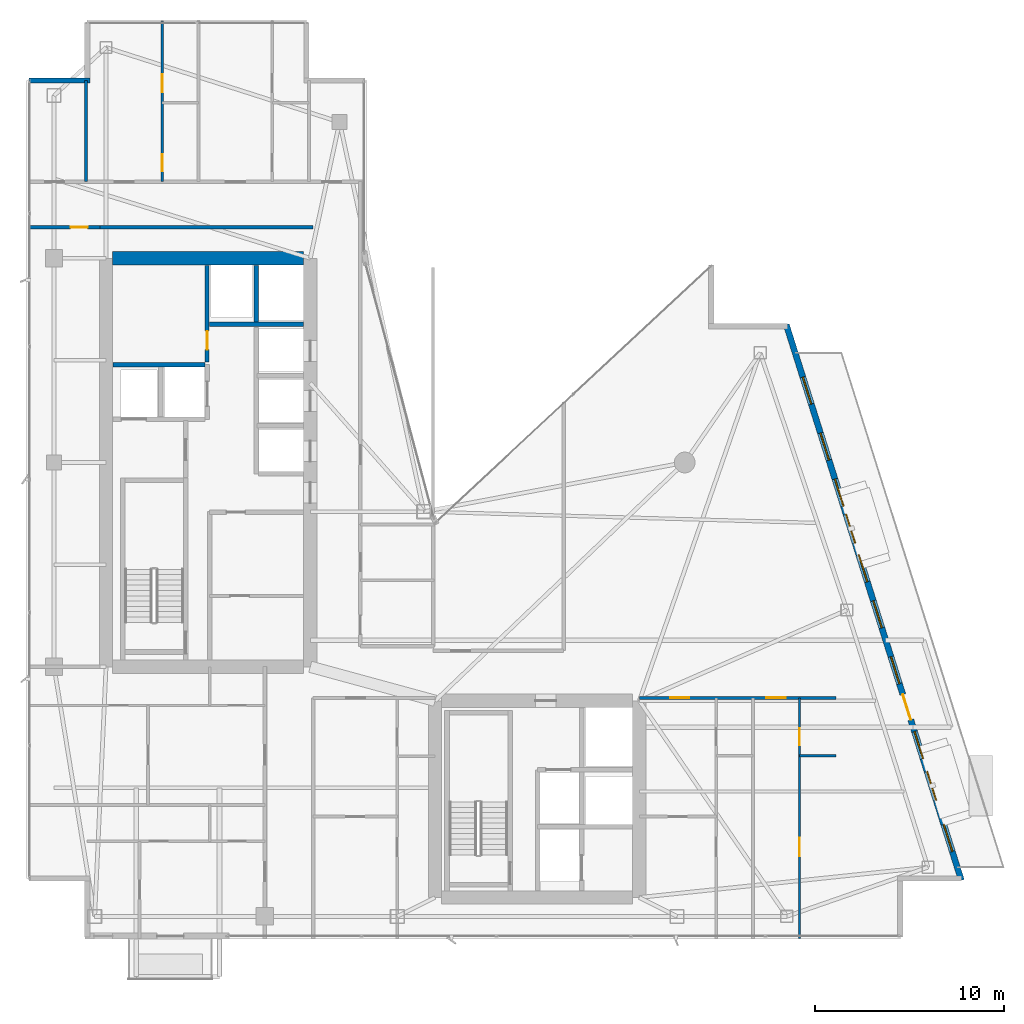
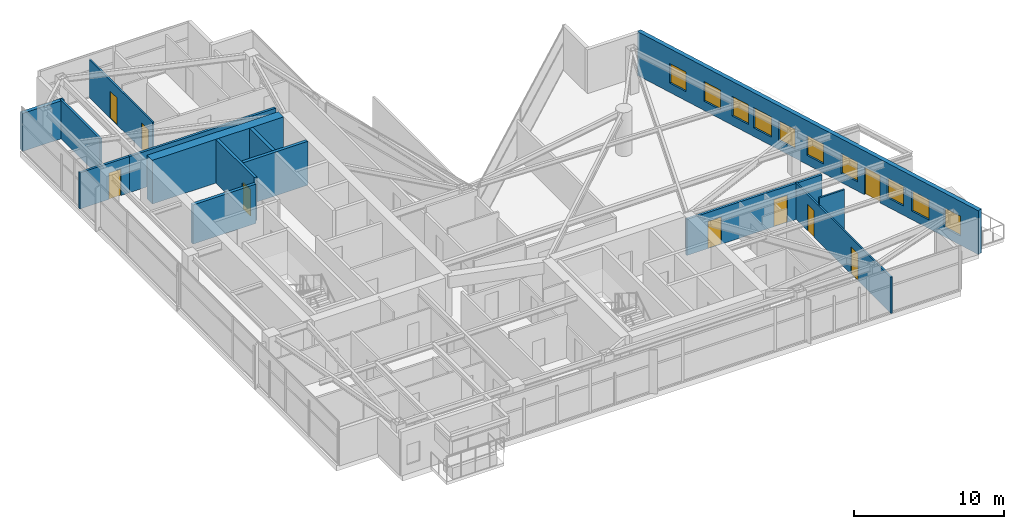
# One storey, part 24 of 28: 14 walls, 10 windows, 9 doors, 19 openings.
"""IFC4 building model written with IfcOpenShell, lengths in metres."""

from ifc_helpers import new_model, si_unit, direction, frame, frame_2d, origin, place, context, subcontext, project, spatial, rectangle, extrude, material, layer, layer_set, type_object, element, fill, save


model = new_model("IFC4")

# Units and contexts
model_context = context("Model", 3, precision=1e-05, world=origin(), true_north=direction((0.0, 1.0)))
body_context = subcontext(model_context, "Body", "Model", "MODEL_VIEW")
ifc_project = project(units=[si_unit("LENGTHUNIT", "METRE"), si_unit("AREAUNIT", "SQUARE_METRE"), si_unit("VOLUMEUNIT", "CUBIC_METRE"), si_unit("PLANEANGLEUNIT", "RADIAN"), si_unit("MASSUNIT", "GRAM", prefix="KILO")], contexts=[model_context])

# Site, building, storey
site_placement = place(None, origin())
site = spatial("IfcSite", under=ifc_project, at=site_placement, CompositionType="ELEMENT")
building_placement = place(site_placement, origin())
building = spatial("IfcBuilding", under=site, at=building_placement, Name="Calvorn Quay Hotel", CompositionType="ELEMENT")
storey_placement = place(building_placement, frame((0.0, 0.0, 219.300048828125)))
storey = spatial("IfcBuildingStorey", under=building, at=storey_placement, Name="L54", CompositionType="ELEMENT", Elevation=219.300048828125)

# Wall
ifc_material_1 = material(Name="Concrete C45", Category="concrete")
ifc_layer_1 = layer(ifc_material_1, 0.699951171875)
ifc_layer_set_1 = layer_set([ifc_layer_1], Name="WL-CORE-700")
wall_type_1 = type_object("IfcWallType", Name="WL-CORE-700", PredefinedType="SHEAR", material=ifc_layer_set_1)
wall_1_placement = place(storey_placement, frame((4.550048828125, 38.39990234375, 0.0), z_axis=(0.0, 0.0, 1.0), x_axis=(1.0, 0.0, 0.0)))
element("IfcWall", 1, at=wall_1_placement, inside=storey, type_object=wall_type_1, Name="West Core Shear Wall N (L54)", PredefinedType="SHEAR", context=body_context, shape_type="SweptSolid", body=[
    extrude(rectangle(XDim=10.099853515625, YDim=0.699951171875, at=frame_2d((5.0498046875, 0.0))), origin(), (0.0, 0.0, 1.0), 3.56005859375),
])

# Wall, opening, door
ifc_material_2 = material(Name="Acoustic Fireboard Steel-Stud Partition", Category="steel")
ifc_layer_2 = layer(ifc_material_2, 0.179931640625)
ifc_layer_set_2 = layer_set([ifc_layer_2], Name="WL-CORR-FIRE-180")
wall_type_2 = type_object("IfcWallType", Name="WL-CORR-FIRE-180", PredefinedType="PARTITIONING", material=ifc_layer_set_2)
wall_2_placement = place(storey_placement, frame((0.080078125, 40.050048828125, 0.0), z_axis=(0.0, 0.0, 1.0), x_axis=(1.0, 0.0, 0.0)))
wall_2 = element("IfcWall", 2, at=wall_2_placement, inside=storey, type_object=wall_type_2, Name="Partition Wall L54-WL-WBAY-N-DOOR", PredefinedType="PARTITIONING", context=body_context, shape_type="SweptSolid", body=[
    extrude(rectangle(XDim=3.7998046875, YDim=0.179931640625, at=frame_2d((1.89990234375, 0.0))), origin(), (0.0, 0.0, 1.0), 2.93994140625),
])
opening_1_placement = place(wall_2_placement, frame((2.25, 0.0, 0.0)))
opening_1 = element("IfcOpeningElement", 3, at=opening_1_placement, cuts=wall_2, Name="Opening D-L54-WBN", PredefinedType="OPENING", context=body_context, shape_type="SweptSolid", body=[
    extrude(rectangle(XDim=0.89990234375, YDim=2.14990234375, at=frame_2d((0.449951171875, 1.074951171875))), frame((0.0, 0.099853515625, 0.0), z_axis=(0.0, -1.0, 0.0), x_axis=(1.0, 0.0, 0.0)), (0.0, 0.0, 1.0), 0.199951171875),
])
ifc_material_3 = material(Name="Moisture-Sealed Timber En-Suite Door", Category="wood")
door_type_1 = type_object("IfcDoorType", Name="DR-ENSUITE-900", OperationType="NOTDEFINED", PredefinedType="DOOR", material=ifc_material_3)
door_1_placement = place(opening_1_placement, origin())
door_1 = element("IfcDoor", 4, at=door_1_placement, inside=storey, type_object=door_type_1, Name="West North Bay Door (L54)", OperationType="SINGLE_SWING_LEFT", OverallHeight=2.14990234375, OverallWidth=0.89990234375, PredefinedType="DOOR", context=body_context, shape_type="SweptSolid", body=[
    extrude(rectangle(XDim=0.89990234375, YDim=2.14990234375, at=frame_2d((0.449951171875, 1.074951171875))), frame((0.0, 0.02490234375, 0.0), z_axis=(0.0, -1.0, 0.0), x_axis=(1.0, 0.0, 0.0)), (0.0, 0.0, 1.0), 0.050048828125),
])
fill(opening_1, door_1)

# Wall
wall_3_placement = place(storey_placement, frame((3.830078125, 40.050048828125, 0.0), z_axis=(0.0, 0.0, 1.0), x_axis=(1.0, 0.0, 0.0)))
element("IfcWall", 5, at=wall_3_placement, inside=storey, type_object=wall_type_2, Name="Partition Wall L54-WL-W-SPUR-S", PredefinedType="PARTITIONING", context=body_context, shape_type="SweptSolid", body=[
    extrude(rectangle(XDim=11.31982421875, YDim=0.179931640625, at=frame_2d((5.659912109375, 0.0))), origin(), (0.0, 0.0, 1.0), 2.93994140625),
])

# Wall, openings, doors
wall_4_placement = place(storey_placement, frame((32.39990234375, 15.14990234375, 0.0), z_axis=(0.0, 0.0, 1.0), x_axis=(1.0, 0.0, 0.0)))
wall_4 = element("IfcWall", 6, at=wall_4_placement, inside=storey, type_object=wall_type_2, Name="Partition Wall L54-WL-CORR-SE-S", PredefinedType="PARTITIONING", context=body_context, shape_type="SweptSolid", body=[
    extrude(rectangle(XDim=10.400146484375, YDim=0.179931640625, at=frame_2d((5.2001953125, 0.0))), origin(), (0.0, 0.0, 1.0), 2.93994140625),
])
opening_2_placement = place(wall_4_placement, frame((1.6298828125, 0.0, 0.0)))
opening_2 = element("IfcOpeningElement", 7, at=opening_2_placement, cuts=wall_4, Name="Opening D-L54-U06", PredefinedType="OPENING", context=body_context, shape_type="SweptSolid", body=[
    extrude(rectangle(XDim=1.02001953125, YDim=2.199951171875, at=frame_2d((0.510009765625, 1.10009765625))), frame((0.0, 0.099853515625, 0.0), z_axis=(0.0, -1.0, 0.0), x_axis=(1.0, 0.0, 0.0)), (0.0, 0.0, 1.0), 0.199951171875),
])
opening_3_placement = place(wall_4_placement, frame((6.719970703125, 0.0, 0.0)))
opening_3 = element("IfcOpeningElement", 8, at=opening_3_placement, cuts=wall_4, Name="Opening D-L54-U07", PredefinedType="OPENING", context=body_context, shape_type="SweptSolid", body=[
    extrude(rectangle(XDim=1.02001953125, YDim=2.199951171875, at=frame_2d((0.510009765625, 1.10009765625))), frame((0.0, 0.099853515625, 0.0), z_axis=(0.0, -1.0, 0.0), x_axis=(1.0, 0.0, 0.0)), (0.0, 0.0, 1.0), 0.199951171875),
])
ifc_material_4 = material(Name="Solid-Core Walnut Veneer Hotel Fire Door")
door_type_2 = type_object("IfcDoorType", Name="DR-GUEST-ENTRY-1020", OperationType="NOTDEFINED", PredefinedType="DOOR", material=ifc_material_4)
door_2_placement = place(opening_2_placement, origin())
door_2 = element("IfcDoor", 9, at=door_2_placement, inside=storey, type_object=door_type_2, Name="South-East Unit Door U06 (L54)", OperationType="SINGLE_SWING_LEFT", OverallHeight=2.199951171875, OverallWidth=1.02001953125, PredefinedType="DOOR", context=body_context, shape_type="SweptSolid", body=[
    extrude(rectangle(XDim=1.02001953125, YDim=2.199951171875, at=frame_2d((0.510009765625, 1.10009765625))), frame((0.0, 0.02490234375, 0.0), z_axis=(0.0, -1.0, 0.0), x_axis=(1.0, 0.0, 0.0)), (0.0, 0.0, 1.0), 0.050048828125),
])
fill(opening_2, door_2)
door_3_placement = place(opening_3_placement, origin())
door_3 = element("IfcDoor", 10, at=door_3_placement, inside=storey, type_object=door_type_2, Name="South-East Unit Door U07 (L54)", OperationType="SINGLE_SWING_RIGHT", OverallHeight=2.199951171875, OverallWidth=1.02001953125, PredefinedType="DOOR", context=body_context, shape_type="SweptSolid", body=[
    extrude(rectangle(XDim=1.02001953125, YDim=2.199951171875, at=frame_2d((0.510009765625, 1.10009765625))), frame((0.0, 0.02490234375, 0.0), z_axis=(0.0, -1.0, 0.0), x_axis=(1.0, 0.0, 0.0)), (0.0, 0.0, 1.0), 0.050048828125),
])
fill(opening_3, door_3)

ifc_material_5 = material(Name="Moisture-Resistant Tile-Backed Partition")
ifc_layer_3 = layer(ifc_material_5, 0.125)
ifc_layer_set_3 = layer_set([ifc_layer_3], Name="WL-ENSUITE-125")
wall_type_3 = type_object("IfcWallType", Name="WL-ENSUITE-125", PredefinedType="PARTITIONING", material=ifc_layer_set_3)
wall_5_placement = place(storey_placement, frame((7.169921875, 42.449951171875, 0.0), z_axis=(0.0, 0.0, 1.0), x_axis=(0.0, 1.0, 0.0)))
wall_5 = element("IfcWall", 11, at=wall_5_placement, inside=storey, type_object=wall_type_3, Name="Partition Wall L54-WL-U04-BV", PredefinedType="PARTITIONING", context=body_context, shape_type="SweptSolid", body=[
    extrude(rectangle(XDim=8.489990234375, YDim=0.125, at=frame_2d((4.2451171875, 0.0))), origin(), (0.0, 0.0, 1.0), 3.08984375),
])
opening_4_placement = place(wall_5_placement, frame((0.550048828125, 0.0, 0.0)))
opening_4 = element("IfcOpeningElement", 12, at=opening_4_placement, cuts=wall_5, Name="Opening D-L54-E04", PredefinedType="OPENING", context=body_context, shape_type="SweptSolid", body=[
    extrude(rectangle(XDim=0.89990234375, YDim=2.14990234375, at=frame_2d((0.449951171875, 1.074951171875))), frame((0.0, 0.072509765625, 0.0), z_axis=(0.0, -1.0, 0.0), x_axis=(1.0, 0.0, 0.0)), (0.0, 0.0, 1.0), 0.14501953125),
])
opening_5_placement = place(wall_5_placement, frame((4.719970703125, 0.0, 0.0)))
opening_5 = element("IfcOpeningElement", 13, at=opening_5_placement, cuts=wall_5, Name="Opening D-L54-S04", PredefinedType="OPENING", context=body_context, shape_type="SweptSolid", body=[
    extrude(rectangle(XDim=0.9599609375, YDim=2.199951171875, at=frame_2d((0.47998046875, 1.10009765625))), frame((0.0, 0.072509765625, 0.0), z_axis=(0.0, -1.0, 0.0), x_axis=(1.0, 0.0, 0.0)), (0.0, 0.0, 1.0), 0.14501953125),
])
door_4_placement = place(opening_4_placement, origin())
door_4 = element("IfcDoor", 14, at=door_4_placement, inside=storey, type_object=door_type_1, Name="En-Suite Door 04", OperationType="SINGLE_SWING_LEFT", OverallHeight=2.14990234375, OverallWidth=0.89990234375, PredefinedType="DOOR", context=body_context, shape_type="SweptSolid", body=[
    extrude(rectangle(XDim=0.89990234375, YDim=2.14990234375, at=frame_2d((0.449951171875, 1.074951171875))), frame((0.0, 0.02490234375, 0.0), z_axis=(0.0, -1.0, 0.0), x_axis=(1.0, 0.0, 0.0)), (0.0, 0.0, 1.0), 0.050048828125),
])
fill(opening_4, door_4)
ifc_material_6 = material(Name="Solid Timber Internal Suite Door", Category="wood")
door_type_3 = type_object("IfcDoorType", Name="DR-SUITE-INT-960", OperationType="NOTDEFINED", PredefinedType="DOOR", material=ifc_material_6)
door_5_placement = place(opening_5_placement, origin())
door_5 = element("IfcDoor", 15, at=door_5_placement, inside=storey, type_object=door_type_3, Name="Executive Work Office Door 04", OperationType="SINGLE_SWING_RIGHT", OverallHeight=2.199951171875, OverallWidth=0.9599609375, PredefinedType="DOOR", context=body_context, shape_type="SweptSolid", body=[
    extrude(rectangle(XDim=0.9599609375, YDim=2.199951171875, at=frame_2d((0.47998046875, 1.10009765625))), frame((0.0, 0.02490234375, 0.0), z_axis=(0.0, -1.0, 0.0), x_axis=(1.0, 0.0, 0.0)), (0.0, 0.0, 1.0), 0.050048828125),
])
fill(opening_5, door_5)

# Wall
wall_6_placement = place(storey_placement, frame((40.8701171875, 12.10009765625, 0.0), z_axis=(0.0, 0.0, 1.0), x_axis=(1.0, 0.0, 0.0)))
element("IfcWall", 16, at=wall_6_placement, inside=storey, type_object=wall_type_3, Name="Partition Wall L54-WL-U07-BDV", PredefinedType="PARTITIONING", context=body_context, shape_type="SweptSolid", body=[
    extrude(rectangle(XDim=1.929931640625, YDim=0.125, at=frame_2d((0.96484375, 0.0))), origin(), (0.0, 0.0, 1.0), 3.56005859375),
])

# Wall, openings, doors
wall_7_placement = place(storey_placement, frame((40.8701171875, 2.43994140625, 0.0), z_axis=(0.0, 0.0, 1.0), x_axis=(0.0, 1.0, 0.0)))
wall_7 = element("IfcWall", 17, at=wall_7_placement, inside=storey, type_object=wall_type_3, Name="Partition Wall L54-WL-U07-BV", PredefinedType="PARTITIONING", context=body_context, shape_type="SweptSolid", body=[
    extrude(rectangle(XDim=12.7099609375, YDim=0.125, at=frame_2d((6.35498046875, 0.0))), origin(), (0.0, 0.0, 1.0), 2.93994140625),
])
opening_6_placement = place(wall_7_placement, frame((4.35009765625, 0.0, 0.0)))
opening_6 = element("IfcOpeningElement", 18, at=opening_6_placement, cuts=wall_7, Name="Opening D-L54-S07", PredefinedType="OPENING", context=body_context, shape_type="SweptSolid", body=[
    extrude(rectangle(XDim=0.9599609375, YDim=2.199951171875, at=frame_2d((0.47998046875, 1.10009765625))), frame((0.0, 0.072509765625, 0.0), z_axis=(0.0, -1.0, 0.0), x_axis=(1.0, 0.0, 0.0)), (0.0, 0.0, 1.0), 0.14501953125),
])
opening_7_placement = place(wall_7_placement, frame((10.2099609375, 0.0, 0.0)))
opening_7 = element("IfcOpeningElement", 19, at=opening_7_placement, cuts=wall_7, Name="Opening D-L54-E07", PredefinedType="OPENING", context=body_context, shape_type="SweptSolid", body=[
    extrude(rectangle(XDim=0.89990234375, YDim=2.14990234375, at=frame_2d((0.449951171875, 1.074951171875))), frame((0.0, 0.072509765625, 0.0), z_axis=(0.0, -1.0, 0.0), x_axis=(1.0, 0.0, 0.0)), (0.0, 0.0, 1.0), 0.14501953125),
])
door_6_placement = place(opening_7_placement, origin())
door_6 = element("IfcDoor", 20, at=door_6_placement, inside=storey, type_object=door_type_1, Name="En-Suite Door 07", OperationType="SINGLE_SWING_RIGHT", OverallHeight=2.14990234375, OverallWidth=0.89990234375, PredefinedType="DOOR", context=body_context, shape_type="SweptSolid", body=[
    extrude(rectangle(XDim=0.89990234375, YDim=2.14990234375, at=frame_2d((0.449951171875, 1.074951171875))), frame((0.0, 0.02490234375, 0.0), z_axis=(0.0, -1.0, 0.0), x_axis=(1.0, 0.0, 0.0)), (0.0, 0.0, 1.0), 0.050048828125),
])
fill(opening_7, door_6)
door_7_placement = place(opening_6_placement, origin())
door_7 = element("IfcDoor", 21, at=door_7_placement, inside=storey, type_object=door_type_3, Name="Executive Work Office Door 07", OperationType="SINGLE_SWING_LEFT", OverallHeight=2.199951171875, OverallWidth=0.9599609375, PredefinedType="DOOR", context=body_context, shape_type="SweptSolid", body=[
    extrude(rectangle(XDim=0.9599609375, YDim=2.199951171875, at=frame_2d((0.47998046875, 1.10009765625))), frame((0.0, 0.02490234375, 0.0), z_axis=(0.0, -1.0, 0.0), x_axis=(1.0, 0.0, 0.0)), (0.0, 0.0, 1.0), 0.050048828125),
])
fill(opening_6, door_7)

# Wall
ifc_material_7 = material(Name="Concrete C40", Category="concrete")
ifc_layer_4 = layer(ifc_material_7, 0.320068359375)
ifc_layer_set_4 = layer_set([ifc_layer_4], Name="WL-EXT-SPANDREL-320")
wall_type_4 = type_object("IfcWallType", Name="WL-EXT-SPANDREL-320", PredefinedType="SOLIDWALL", material=ifc_layer_set_4)
wall_8_placement = place(storey_placement, frame((3.340087890625, 47.800048828125, 0.0), z_axis=(0.0, 0.0, 1.0), x_axis=(-1.0, 0.0, 0.0)))
element("IfcWall", 22, at=wall_8_placement, inside=storey, type_object=wall_type_4, Name="Notched Corner Spandrel L54-NW2", PredefinedType="SOLIDWALL", context=body_context, shape_type="SweptSolid", body=[
    extrude(rectangle(XDim=3.219970703125, YDim=0.280029296875, at=frame_2d((1.60986328125, 0.0))), origin(), (0.0, 0.0, 1.0), 3.08984375),
])

# Wall, openings, door, windows
wall_9_placement = place(storey_placement, frame((49.429931640625, 5.5048828125, 0.0), z_axis=(0.0, 0.0, 1.0), x_axis=(-0.300509063924, 0.953778958931, 0.0)))
wall_9 = element("IfcWall", 23, at=wall_9_placement, inside=storey, type_object=wall_type_4, Name="East Stepped Waterfront Exterior Wall (L54)", PredefinedType="SOLIDWALL", context=body_context, shape_type="SweptSolid", body=[
    extrude(rectangle(XDim=30.814453125, YDim=0.320068359375, at=frame_2d((15.4072265625, 0.0))), origin(), (0.0, 0.0, 1.0), 3.56005859375),
])
opening_8_placement = place(wall_9_placement, frame((8.89990234375, 0.0, 0.0)))
opening_8 = element("IfcOpeningElement", 24, at=opening_8_placement, cuts=wall_9, Name="Opening DTR-L54", PredefinedType="OPENING", context=body_context, shape_type="SweptSolid", body=[
    extrude(rectangle(XDim=1.39990234375, YDim=2.25, at=frame_2d((0.699951171875, 1.125))), frame((0.0, 0.169921875, 0.0), z_axis=(0.0, -1.0, 0.0), x_axis=(1.0, 0.0, 0.0)), (0.0, 0.0, 1.0), 0.340087890625),
])
opening_9_placement = place(wall_9_placement, frame((4.43701171875, 0.0, 0.699951171875)))
opening_9 = element("IfcOpeningElement", 25, at=opening_9_placement, cuts=wall_9, Name="Opening WHD-L54-1", PredefinedType="OPENING", context=body_context, shape_type="SweptSolid", body=[
    extrude(rectangle(XDim=1.60009765625, YDim=1.64990234375, at=frame_2d((0.800048828125, 0.824951171875))), frame((0.0, 0.169921875, 0.0), z_axis=(0.0, -1.0, 0.0), x_axis=(1.0, 0.0, 0.0)), (0.0, 0.0, 1.0), 0.340087890625),
])
opening_10_placement = place(wall_9_placement, frame((18.696044921875, 0.0, 0.699951171875)))
opening_10 = element("IfcOpeningElement", 26, at=opening_10_placement, cuts=wall_9, Name="Opening WHD-L54-2", PredefinedType="OPENING", context=body_context, shape_type="SweptSolid", body=[
    extrude(rectangle(XDim=1.60009765625, YDim=1.64990234375, at=frame_2d((0.800048828125, 0.824951171875))), frame((0.0, 0.169921875, 0.0), z_axis=(0.0, -1.0, 0.0), x_axis=(1.0, 0.0, 0.0)), (0.0, 0.0, 1.0), 0.340087890625),
])
opening_11_placement = place(wall_9_placement, frame((1.60009765625, 0.0, 0.75)))
opening_11 = element("IfcOpeningElement", 27, at=opening_11_placement, cuts=wall_9, Name="Opening WG-L54-E1", PredefinedType="OPENING", context=body_context, shape_type="SweptSolid", body=[
    extrude(rectangle(XDim=1.5, YDim=1.60009765625, at=frame_2d((0.75, 0.800048828125))), frame((0.0, 0.169921875, 0.0), z_axis=(0.0, -1.0, 0.0), x_axis=(1.0, 0.0, 0.0)), (0.0, 0.0, 1.0), 0.340087890625),
])
opening_12_placement = place(wall_9_placement, frame((6.75, 0.0, 0.75)))
opening_12 = element("IfcOpeningElement", 28, at=opening_12_placement, cuts=wall_9, Name="Opening WG-L54-E2", PredefinedType="OPENING", context=body_context, shape_type="SweptSolid", body=[
    extrude(rectangle(XDim=1.5, YDim=1.60009765625, at=frame_2d((0.75, 0.800048828125))), frame((0.0, 0.169921875, 0.0), z_axis=(0.0, -1.0, 0.0), x_axis=(1.0, 0.0, 0.0)), (0.0, 0.0, 1.0), 0.340087890625),
])
opening_13_placement = place(wall_9_placement, frame((10.89990234375, 0.0, 0.75)))
opening_13 = element("IfcOpeningElement", 29, at=opening_13_placement, cuts=wall_9, Name="Opening WG-L54-E3", PredefinedType="OPENING", context=body_context, shape_type="SweptSolid", body=[
    extrude(rectangle(XDim=1.5, YDim=1.60009765625, at=frame_2d((0.75, 0.800048828125))), frame((0.0, 0.169921875, 0.0), z_axis=(0.0, -1.0, 0.0), x_axis=(1.0, 0.0, 0.0)), (0.0, 0.0, 1.0), 0.340087890625),
])
opening_14_placement = place(wall_9_placement, frame((14.0, 0.0, 0.75)))
opening_14 = element("IfcOpeningElement", 30, at=opening_14_placement, cuts=wall_9, Name="Opening WG-L54-E4", PredefinedType="OPENING", context=body_context, shape_type="SweptSolid", body=[
    extrude(rectangle(XDim=1.5, YDim=1.60009765625, at=frame_2d((0.75, 0.800048828125))), frame((0.0, 0.169921875, 0.0), z_axis=(0.0, -1.0, 0.0), x_axis=(1.0, 0.0, 0.0)), (0.0, 0.0, 1.0), 0.340087890625),
])
opening_15_placement = place(wall_9_placement, frame((16.550048828125, 0.0, 0.75)))
opening_15 = element("IfcOpeningElement", 31, at=opening_15_placement, cuts=wall_9, Name="Opening WG-L54-E5", PredefinedType="OPENING", context=body_context, shape_type="SweptSolid", body=[
    extrude(rectangle(XDim=1.5, YDim=1.60009765625, at=frame_2d((0.75, 0.800048828125))), frame((0.0, 0.169921875, 0.0), z_axis=(0.0, -1.0, 0.0), x_axis=(1.0, 0.0, 0.0)), (0.0, 0.0, 1.0), 0.340087890625),
])
opening_16_placement = place(wall_9_placement, frame((20.75, 0.0, 0.75)))
opening_16 = element("IfcOpeningElement", 32, at=opening_16_placement, cuts=wall_9, Name="Opening WG-L54-E6", PredefinedType="OPENING", context=body_context, shape_type="SweptSolid", body=[
    extrude(rectangle(XDim=1.5, YDim=1.60009765625, at=frame_2d((0.75, 0.800048828125))), frame((0.0, 0.169921875, 0.0), z_axis=(0.0, -1.0, 0.0), x_axis=(1.0, 0.0, 0.0)), (0.0, 0.0, 1.0), 0.340087890625),
])
opening_17_placement = place(wall_9_placement, frame((23.300048828125, 0.0, 0.75)))
opening_17 = element("IfcOpeningElement", 33, at=opening_17_placement, cuts=wall_9, Name="Opening WG-L54-E7", PredefinedType="OPENING", context=body_context, shape_type="SweptSolid", body=[
    extrude(rectangle(XDim=1.5, YDim=1.60009765625, at=frame_2d((0.75, 0.800048828125))), frame((0.0, 0.169921875, 0.0), z_axis=(0.0, -1.0, 0.0), x_axis=(1.0, 0.0, 0.0)), (0.0, 0.0, 1.0), 0.340087890625),
])
opening_18_placement = place(wall_9_placement, frame((26.39990234375, 0.0, 0.75)))
opening_18 = element("IfcOpeningElement", 34, at=opening_18_placement, cuts=wall_9, Name="Opening WG-L54-E8", PredefinedType="OPENING", context=body_context, shape_type="SweptSolid", body=[
    extrude(rectangle(XDim=1.5, YDim=1.60009765625, at=frame_2d((0.75, 0.800048828125))), frame((0.0, 0.169921875, 0.0), z_axis=(0.0, -1.0, 0.0), x_axis=(1.0, 0.0, 0.0)), (0.0, 0.0, 1.0), 0.340087890625),
])
ifc_material_8 = material(Name="Typhoon-Rated Low-E Aluminium Terrace Door", Category="aluminium")
door_type_4 = type_object("IfcDoorType", Name="DR-BALCONY-GLZ-1400", OperationType="NOTDEFINED", PredefinedType="DOOR", material=ifc_material_8)
door_8_placement = place(opening_8_placement, origin())
door_8 = element("IfcDoor", 35, at=door_8_placement, inside=storey, type_object=door_type_4, Name="Sawtooth Setback Terrace Door (L54)", OperationType="SINGLE_SWING_RIGHT", OverallHeight=2.25, OverallWidth=1.39990234375, PredefinedType="DOOR", context=body_context, shape_type="SweptSolid", body=[
    extrude(rectangle(XDim=1.39990234375, YDim=2.25, at=frame_2d((0.699951171875, 1.125))), frame((0.0, 0.02490234375, 0.0), z_axis=(0.0, -1.0, 0.0), x_axis=(1.0, 0.0, 0.0)), (0.0, 0.0, 1.0), 0.050048828125),
])
fill(opening_8, door_8)
ifc_material_9 = material(Name="Champagne-Bronze Aluminium Low-E Window", Category="aluminium")
window_type_1 = type_object("IfcWindowType", Name="WIN-GUEST-SIDE-1600x2100", PartitioningType="SINGLE_PANEL", PredefinedType="WINDOW", material=ifc_material_9)
window_1_placement = place(opening_9_placement, origin())
window_1 = element("IfcWindow", 36, at=window_1_placement, inside=storey, type_object=window_type_1, Name="Bay Hood Window L54-HOOD-1", OverallHeight=1.64990234375, OverallWidth=1.60009765625, PartitioningType="SINGLE_PANEL", PredefinedType="WINDOW", context=body_context, shape_type="SweptSolid", body=[
    extrude(rectangle(XDim=1.60009765625, YDim=1.64990234375, at=frame_2d((0.800048828125, 0.824951171875))), frame((0.0, 0.030029296875, 0.0), z_axis=(0.0, -1.0, 0.0), x_axis=(1.0, 0.0, 0.0)), (0.0, 0.0, 1.0), 0.06005859375),
])
fill(opening_9, window_1)
window_2_placement = place(opening_10_placement, origin())
window_2 = element("IfcWindow", 37, at=window_2_placement, inside=storey, type_object=window_type_1, Name="Bay Hood Window L54-HOOD-3", OverallHeight=1.64990234375, OverallWidth=1.60009765625, PartitioningType="SINGLE_PANEL", PredefinedType="WINDOW", context=body_context, shape_type="SweptSolid", body=[
    extrude(rectangle(XDim=1.60009765625, YDim=1.64990234375, at=frame_2d((0.800048828125, 0.824951171875))), frame((0.0, 0.030029296875, 0.0), z_axis=(0.0, -1.0, 0.0), x_axis=(1.0, 0.0, 0.0)), (0.0, 0.0, 1.0), 0.06005859375),
])
fill(opening_10, window_2)
ifc_material_10 = material(Name="Self-Closing Class B Fire Window")
window_type_2 = type_object("IfcWindowType", Name="WIN-REFUGE-1500x1600", PartitioningType="SINGLE_PANEL", PredefinedType="WINDOW", material=ifc_material_10)
window_3_placement = place(opening_11_placement, origin())
window_3 = element("IfcWindow", 38, at=window_3_placement, inside=storey, type_object=window_type_2, Name="East Facade Window L54-E1", OverallHeight=1.60009765625, OverallWidth=1.5, PartitioningType="SINGLE_PANEL", PredefinedType="WINDOW", context=body_context, shape_type="SweptSolid", body=[
    extrude(rectangle(XDim=1.5, YDim=1.60009765625, at=frame_2d((0.75, 0.800048828125))), frame((0.0, 0.030029296875, 0.0), z_axis=(0.0, -1.0, 0.0), x_axis=(1.0, 0.0, 0.0)), (0.0, 0.0, 1.0), 0.06005859375),
])
fill(opening_11, window_3)
window_4_placement = place(opening_12_placement, origin())
window_4 = element("IfcWindow", 39, at=window_4_placement, inside=storey, type_object=window_type_2, Name="East Facade Window L54-E2", OverallHeight=1.60009765625, OverallWidth=1.5, PartitioningType="SINGLE_PANEL", PredefinedType="WINDOW", context=body_context, shape_type="SweptSolid", body=[
    extrude(rectangle(XDim=1.5, YDim=1.60009765625, at=frame_2d((0.75, 0.800048828125))), frame((0.0, 0.030029296875, 0.0), z_axis=(0.0, -1.0, 0.0), x_axis=(1.0, 0.0, 0.0)), (0.0, 0.0, 1.0), 0.06005859375),
])
fill(opening_12, window_4)
window_5_placement = place(opening_13_placement, origin())
window_5 = element("IfcWindow", 40, at=window_5_placement, inside=storey, type_object=window_type_2, Name="East Facade Window L54-E3", OverallHeight=1.60009765625, OverallWidth=1.5, PartitioningType="SINGLE_PANEL", PredefinedType="WINDOW", context=body_context, shape_type="SweptSolid", body=[
    extrude(rectangle(XDim=1.5, YDim=1.60009765625, at=frame_2d((0.75, 0.800048828125))), frame((0.0, 0.030029296875, 0.0), z_axis=(0.0, -1.0, 0.0), x_axis=(1.0, 0.0, 0.0)), (0.0, 0.0, 1.0), 0.06005859375),
])
fill(opening_13, window_5)
window_6_placement = place(opening_14_placement, origin())
window_6 = element("IfcWindow", 41, at=window_6_placement, inside=storey, type_object=window_type_2, Name="East Facade Window L54-E4", OverallHeight=1.60009765625, OverallWidth=1.5, PartitioningType="SINGLE_PANEL", PredefinedType="WINDOW", context=body_context, shape_type="SweptSolid", body=[
    extrude(rectangle(XDim=1.5, YDim=1.60009765625, at=frame_2d((0.75, 0.800048828125))), frame((0.0, 0.030029296875, 0.0), z_axis=(0.0, -1.0, 0.0), x_axis=(1.0, 0.0, 0.0)), (0.0, 0.0, 1.0), 0.06005859375),
])
fill(opening_14, window_6)
window_7_placement = place(opening_15_placement, origin())
window_7 = element("IfcWindow", 42, at=window_7_placement, inside=storey, type_object=window_type_2, Name="East Facade Window L54-E5", OverallHeight=1.60009765625, OverallWidth=1.5, PartitioningType="SINGLE_PANEL", PredefinedType="WINDOW", context=body_context, shape_type="SweptSolid", body=[
    extrude(rectangle(XDim=1.5, YDim=1.60009765625, at=frame_2d((0.75, 0.800048828125))), frame((0.0, 0.030029296875, 0.0), z_axis=(0.0, -1.0, 0.0), x_axis=(1.0, 0.0, 0.0)), (0.0, 0.0, 1.0), 0.06005859375),
])
fill(opening_15, window_7)
window_8_placement = place(opening_16_placement, origin())
window_8 = element("IfcWindow", 43, at=window_8_placement, inside=storey, type_object=window_type_2, Name="East Facade Window L54-E6", OverallHeight=1.60009765625, OverallWidth=1.5, PartitioningType="SINGLE_PANEL", PredefinedType="WINDOW", context=body_context, shape_type="SweptSolid", body=[
    extrude(rectangle(XDim=1.5, YDim=1.60009765625, at=frame_2d((0.75, 0.800048828125))), frame((0.0, 0.030029296875, 0.0), z_axis=(0.0, -1.0, 0.0), x_axis=(1.0, 0.0, 0.0)), (0.0, 0.0, 1.0), 0.06005859375),
])
fill(opening_16, window_8)
window_9_placement = place(opening_17_placement, origin())
window_9 = element("IfcWindow", 44, at=window_9_placement, inside=storey, type_object=window_type_2, Name="East Facade Window L54-E7", OverallHeight=1.60009765625, OverallWidth=1.5, PartitioningType="SINGLE_PANEL", PredefinedType="WINDOW", context=body_context, shape_type="SweptSolid", body=[
    extrude(rectangle(XDim=1.5, YDim=1.60009765625, at=frame_2d((0.75, 0.800048828125))), frame((0.0, 0.030029296875, 0.0), z_axis=(0.0, -1.0, 0.0), x_axis=(1.0, 0.0, 0.0)), (0.0, 0.0, 1.0), 0.06005859375),
])
fill(opening_17, window_9)
window_10_placement = place(opening_18_placement, origin())
window_10 = element("IfcWindow", 45, at=window_10_placement, inside=storey, type_object=window_type_2, Name="East Facade Window L54-E8", OverallHeight=1.60009765625, OverallWidth=1.5, PartitioningType="SINGLE_PANEL", PredefinedType="WINDOW", context=body_context, shape_type="SweptSolid", body=[
    extrude(rectangle(XDim=1.5, YDim=1.60009765625, at=frame_2d((0.75, 0.800048828125))), frame((0.0, 0.030029296875, 0.0), z_axis=(0.0, -1.0, 0.0), x_axis=(1.0, 0.0, 0.0)), (0.0, 0.0, 1.0), 0.06005859375),
])
fill(opening_18, window_10)

# Wall
ifc_material_11 = material(Name="Double-Stud Acoustic Gypsum Partition")
ifc_layer_5 = layer(ifc_material_11, 0.159912109375)
ifc_layer_set_5 = layer_set([ifc_layer_5], Name="WL-INTERSUITE-160")
wall_type_5 = type_object("IfcWallType", Name="WL-INTERSUITE-160", PredefinedType="PARTITIONING", material=ifc_layer_set_5)
wall_10_placement = place(storey_placement, frame((3.14990234375, 42.449951171875, 0.0), z_axis=(0.0, 0.0, 1.0), x_axis=(0.0, 1.0, 0.0)))
element("IfcWall", 46, at=wall_10_placement, inside=storey, type_object=wall_type_5, Name="Partition Wall L54-WL-NW-DIV-W0", PredefinedType="PARTITIONING", context=body_context, shape_type="SweptSolid", body=[
    extrude(rectangle(XDim=5.35009765625, YDim=0.159912109375, at=frame_2d((2.675048828125, 0.0))), origin(), (0.0, 0.0, 1.0), 3.139892578125),
])

# Wall, opening, door
ifc_material_12 = material(Name="Autoclaved Aerated Masonry Block", Category="masonry")
ifc_layer_6 = layer(ifc_material_12, 0.219970703125)
ifc_layer_set_6 = layer_set([ifc_layer_6], Name="WL-LOBBY-FIRE-220")
wall_type_6 = type_object("IfcWallType", Name="WL-LOBBY-FIRE-220", PredefinedType="SOLIDWALL", material=ifc_layer_set_6)
wall_11_placement = place(storey_placement, frame((9.5400390625, 32.919921875, 0.0), z_axis=(0.0, 0.0, 1.0), x_axis=(0.0, 1.0, 0.0)))
wall_11 = element("IfcWall", 47, at=wall_11_placement, inside=storey, type_object=wall_type_6, Name="Partition Wall L54-WL-CWW-K-E", PredefinedType="SOLIDWALL", context=body_context, shape_type="SweptSolid", body=[
    extrude(rectangle(XDim=5.110107421875, YDim=0.219970703125, at=frame_2d((2.55517578125, 0.0))), origin(), (0.0, 0.0, 1.0), 3.56005859375),
])
opening_19_placement = place(wall_11_placement, frame((0.64990234375, 0.0, 0.0)))
opening_19 = element("IfcOpeningElement", 48, at=opening_19_placement, cuts=wall_11, Name="Opening D-L54-CK1", PredefinedType="OPENING", context=body_context, shape_type="SweptSolid", body=[
    extrude(rectangle(XDim=0.97998046875, YDim=2.14990234375, at=frame_2d((0.489990234375, 1.074951171875))), frame((0.0, 0.119873046875, 0.0), z_axis=(0.0, -1.0, 0.0), x_axis=(1.0, 0.0, 0.0)), (0.0, 0.0, 1.0), 0.239990234375),
])
ifc_material_13 = material(Name="Painted Steel Housekeeping/Riser Fire Door", Category="steel")
door_type_5 = type_object("IfcDoorType", Name="DR-SERVICE-980", OperationType="NOTDEFINED", PredefinedType="DOOR", material=ifc_material_13)
door_9_placement = place(opening_19_placement, origin())
door_9 = element("IfcDoor", 49, at=door_9_placement, inside=storey, type_object=door_type_5, Name="Core Linen Room Door (L54)", OperationType="SINGLE_SWING_LEFT", OverallHeight=2.14990234375, OverallWidth=0.97998046875, PredefinedType="DOOR", context=body_context, shape_type="SweptSolid", body=[
    extrude(rectangle(XDim=0.97998046875, YDim=2.14990234375, at=frame_2d((0.489990234375, 1.074951171875))), frame((0.0, 0.02490234375, 0.0), z_axis=(0.0, -1.0, 0.0), x_axis=(1.0, 0.0, 0.0)), (0.0, 0.0, 1.0), 0.050048828125),
])
fill(opening_19, door_9)

# Walls
ifc_material_14 = material(Name="Concrete C40", Category="concrete")
ifc_layer_7 = layer(ifc_material_14, 0.239990234375)
ifc_layer_set_7 = layer_set([ifc_layer_7], Name="WL-SHAFT-240")
wall_type_7 = type_object("IfcWallType", Name="WL-SHAFT-240", PredefinedType="SOLIDWALL", material=ifc_layer_set_7)
wall_12_placement = place(storey_placement, frame((4.570068359375, 32.780029296875, 0.0), z_axis=(0.0, 0.0, 1.0), x_axis=(1.0, 0.0, 0.0)))
element("IfcWall", 50, at=wall_12_placement, inside=storey, type_object=wall_type_7, Name="Partition Wall L54-WL-CWW-SLW-N", PredefinedType="SOLIDWALL", context=body_context, shape_type="SweptSolid", body=[
    extrude(rectangle(XDim=4.849853515625, YDim=0.239990234375, at=frame_2d((2.4248046875, 0.0))), origin(), (0.0, 0.0, 1.0), 3.18994140625),
])
wall_13_placement = place(storey_placement, frame((9.659912109375, 34.89990234375, 0.0), z_axis=(0.0, 0.0, 1.0), x_axis=(1.0, 0.0, 0.0)))
element("IfcWall", 51, at=wall_13_placement, inside=storey, type_object=wall_type_7, Name="Partition Wall L54-WL-CWW-PLH-S", PredefinedType="SOLIDWALL", context=body_context, shape_type="SweptSolid", body=[
    extrude(rectangle(XDim=4.969970703125, YDim=0.239990234375, at=frame_2d((2.48486328125, 0.0))), origin(), (0.0, 0.0, 1.0), 3.56005859375),
])
wall_14_placement = place(storey_placement, frame((12.14990234375, 35.02001953125, 0.0), z_axis=(0.0, 0.0, 1.0), x_axis=(0.0, 1.0, 0.0)))
element("IfcWall", 52, at=wall_14_placement, inside=storey, type_object=wall_type_7, Name="Partition Wall L54-WL-CWW-PLH-DIV", PredefinedType="SOLIDWALL", context=body_context, shape_type="SweptSolid", body=[
    extrude(rectangle(XDim=3.010009765625, YDim=0.239990234375, at=frame_2d((1.5048828125, 0.0))), origin(), (0.0, 0.0, 1.0), 3.56005859375),
])

save(model, "model.ifc")
